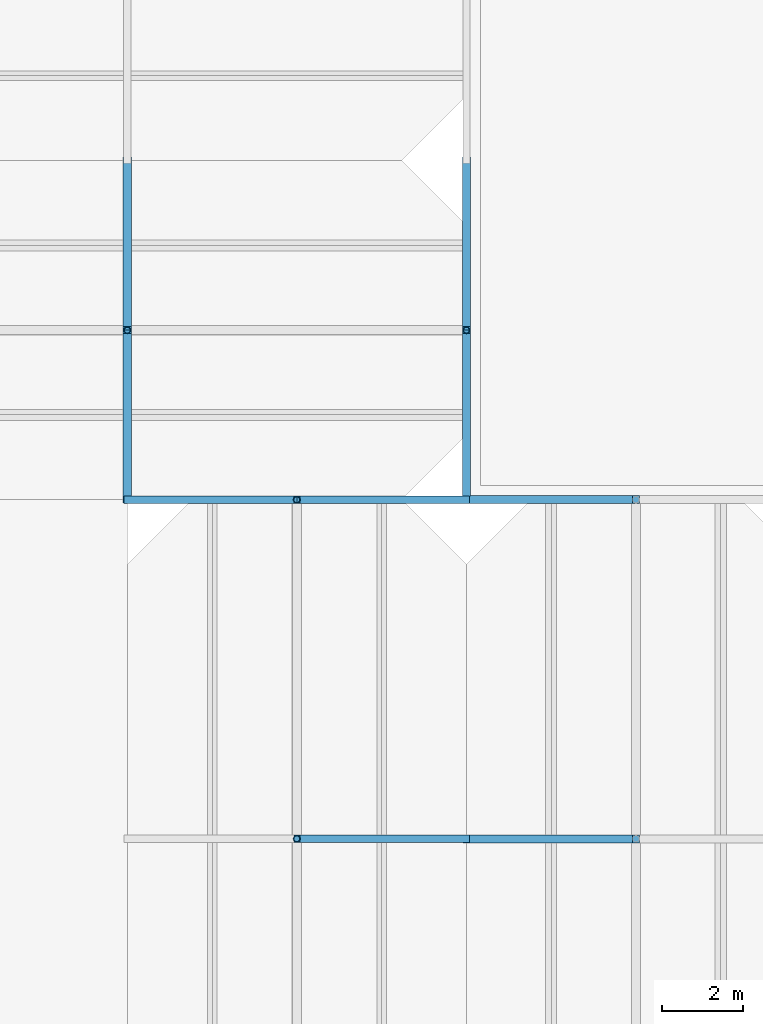
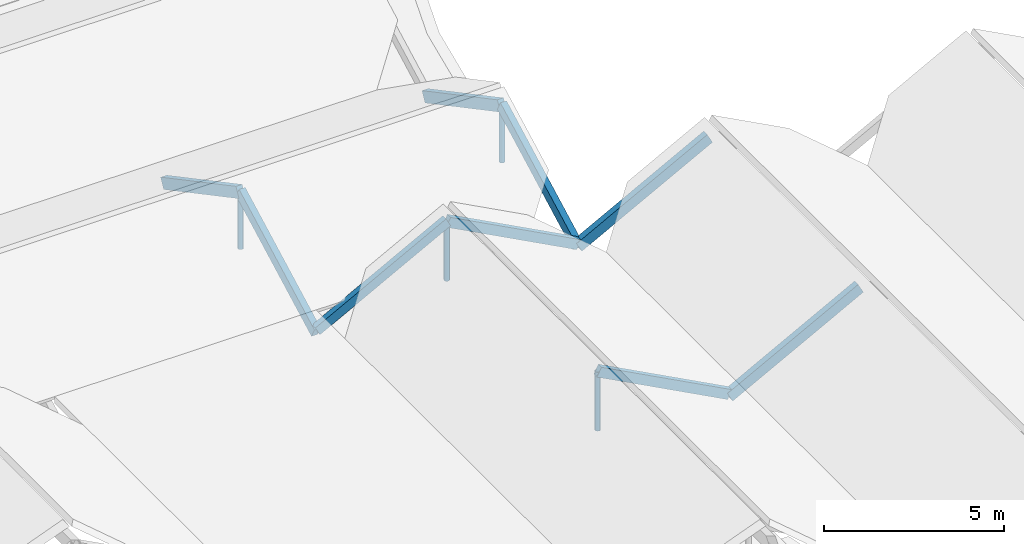
# One storey, part 27 of 82: 13 members.
"""IFC4 building model written with IfcOpenShell, lengths in metres."""

import ifcopenshell
import ifcopenshell.guid

model = None  # the IFC model being written
_history = None  # IfcOwnerHistory: only IFC2X3 demands one
_inside = {}  # id of a spatial element -> (the spatial element, [elements in it])
_under = {}  # id of a project, library or spatial element -> (it, [spatial elements below it])
_declared = {}  # id of a project -> (the project, [libraries it declares])
_typed = {}  # id of a type object -> (the type object, [elements of that type])
_made_of = {}  # id of a material, layer set ... -> (it, [elements and type objects made of it])


def new_model(schema):
    """Start an empty IFC model of exactly this schema.

    Asked for "IFC4X3", IfcOpenShell would pick the latest addendum, in which some entities
    have other attributes; the version numbers below select the first issue.
    IFC2X3 requires an IfcOwnerHistory on every rooted entity: one is made here for all.
    """
    global model, _history
    if schema == "IFC4X3":
        model = ifcopenshell.file(schema_version=(4, 3, 0, 0))
    else:
        model = ifcopenshell.file(schema=schema)
    _inside.clear()
    _under.clear()
    _declared.clear()
    _typed.clear()
    _made_of.clear()
    _history = None
    if model.schema == "IFC2X3":
        org = make("IfcOrganization", Name="unknown")
        user = make(
            "IfcPersonAndOrganization",
            ThePerson=make("IfcPerson", FamilyName="unknown"),
            TheOrganization=org,
        )
        app = make(
            "IfcApplication",
            ApplicationDeveloper=org,
            Version="unknown",
            ApplicationFullName="unknown",
            ApplicationIdentifier="unknown",
        )
        _history = make(
            "IfcOwnerHistory",
            OwningUser=user,
            OwningApplication=app,
            ChangeAction="ADDED",
            CreationDate=0,
        )
    return model


def make(cls, **values):
    """One entity of the class cls with the attributes given. An attribute that is None is left unset."""
    return model.create_entity(
        cls, **{name: value for name, value in values.items() if value is not None}
    )


def rooted(cls, **values):
    """An entity with a GlobalId (a new one), such as an element, a storey or a relation."""
    return make(cls, GlobalId=ifcopenshell.guid.new(), OwnerHistory=_history, **values)


def si_unit(unit_type, name, prefix=None):
    """IfcSIUnit, for example si_unit("LENGTHUNIT", "METRE", prefix="MILLI")."""
    return make("IfcSIUnit", UnitType=unit_type, Prefix=prefix, Name=name)


def assignment(units):
    """IfcUnitAssignment: the units of a project."""
    return None if units is None else make("IfcUnitAssignment", Units=units)


def point(xyz):
    """IfcCartesianPoint."""
    return None if xyz is None else make("IfcCartesianPoint", Coordinates=xyz)


def direction(xyz):
    """IfcDirection."""
    return None if xyz is None else make("IfcDirection", DirectionRatios=xyz)


def frame(location, z_axis=None, x_axis=None):
    """IfcAxis2Placement3D, a coordinate frame: its origin and axes. An axis left out is left unset."""
    return make(
        "IfcAxis2Placement3D",
        Location=point(location),
        Axis=direction(z_axis),
        RefDirection=direction(x_axis),
    )


def frame_2d(location, x_axis=None):
    """IfcAxis2Placement2D, a coordinate frame in the plane: its origin and x axis."""
    return make(
        "IfcAxis2Placement2D", Location=point(location), RefDirection=direction(x_axis)
    )


def origin():
    """The frame at (0, 0, 0) with its axes left unset."""
    return frame((0.0, 0.0, 0.0))


def origin_2d():
    """The frame at (0, 0) in the plane with its x axis left unset."""
    return frame_2d((0.0, 0.0))


def place(relative_to, where):
    """IfcLocalPlacement: puts the frame where relative to a parent placement (None: the world)."""
    return make(
        "IfcLocalPlacement", PlacementRelTo=relative_to, RelativePlacement=where
    )


def context(
    kind, dimensions, precision=None, world=None, true_north=None, identifier=None
):
    """IfcGeometricRepresentationContext, for example the 3D "Model" context."""
    return make(
        "IfcGeometricRepresentationContext",
        ContextIdentifier=identifier,
        ContextType=kind,
        CoordinateSpaceDimension=dimensions,
        Precision=precision,
        WorldCoordinateSystem=world,
        TrueNorth=true_north,
    )


def subcontext(parent, identifier, kind, view, scale=None):
    """IfcGeometricRepresentationSubContext, for example "Body" below "Model"."""
    return make(
        "IfcGeometricRepresentationSubContext",
        ContextIdentifier=identifier,
        ContextType=kind,
        ParentContext=parent,
        TargetScale=scale,
        TargetView=view,
    )


def project(units=None, contexts=None):
    """IfcProject with its units and contexts."""
    return rooted(
        "IfcProject",
        Name="project",
        RepresentationContexts=contexts,
        UnitsInContext=assignment(units),
    )


def spatial(cls, under=None, at=None, **own):
    """A site, building, storey or space (cls), placed at a placement, below another one or the project."""
    s = rooted(cls, ObjectPlacement=at, **own)
    if under is not None:
        _under.setdefault(under.id(), (under, []))[1].append(s)
    return s


def profile(cls, at=None, kind="AREA", **sizes):
    """A parametric profile (cls). Its sizes go by their IFC names, for example OverallWidth=200.0."""
    return make(cls, ProfileType=kind, Position=at, **sizes)


def rectangle(**sizes):
    """IfcRectangleProfileDef."""
    return profile("IfcRectangleProfileDef", **sizes)


def hollow_circle(**sizes):
    """IfcCircleHollowProfileDef."""
    return profile("IfcCircleHollowProfileDef", **sizes)


def extrude(swept, where, along, depth):
    """IfcExtrudedAreaSolid: the profile swept, set in the frame where, extruded along a direction by depth."""
    return make(
        "IfcExtrudedAreaSolid",
        SweptArea=swept,
        Position=where,
        ExtrudedDirection=direction(along),
        Depth=depth,
    )


def shape(context_of_items, identifier, shape_type, items):
    """IfcShapeRepresentation: the items that make up one representation, for example the "Body"."""
    return make(
        "IfcShapeRepresentation",
        ContextOfItems=context_of_items,
        RepresentationIdentifier=identifier,
        RepresentationType=shape_type,
        Items=items,
    )


def material(Name=None, Category=None):
    """IfcMaterial."""
    return make("IfcMaterial", Name=Name, Category=Category)


def material_profile(
    of_material, cross_section, Name=None, Category=None, Priority=None
):
    """IfcMaterialProfile: a cross section and its material."""
    return make(
        "IfcMaterialProfile",
        Name=Name,
        Material=of_material,
        Profile=cross_section,
        Priority=Priority,
        Category=Category,
    )


def profile_set(profiles, Name=None, composite=None):
    """IfcMaterialProfileSet."""
    return make(
        "IfcMaterialProfileSet",
        Name=Name,
        MaterialProfiles=profiles,
        CompositeProfile=composite,
    )


def made_of(thing, what):
    """Note that an element or type object is made of a material, layer set ...; save() writes the relation."""
    if what is not None:
        _made_of.setdefault(what.id(), (what, []))[1].append(thing)
    return thing


def type_object(cls, material=None, **own):
    """A type object (cls), such as IfcWallType, which elements share."""
    return made_of(rooted(cls, **own), material)


def element(
    cls,
    number,
    at=None,
    inside=None,
    cuts=None,
    type_object=None,
    material=None,
    context=None,
    identifier="Body",
    shape_type=None,
    held_by="IfcProductDefinitionShape",
    body=None,
    shapes=None,
    **own,
):
    """One element of the class cls, such as IfcWall. Its Tag is "e" and its number.

    at: its placement. inside: the storey or other place that contains it. cuts: it is an
    opening in that element (IfcRelVoidsElement). A single representation is given by context,
    identifier, shape_type and body (its items); several are given by shapes. held_by: the class
    of the entity that holds the representations. save() writes the other relations.
    """
    e = rooted(cls, Tag="e%d" % number, ObjectPlacement=at, **own)
    if body is not None:
        shapes = [shape(context, identifier, shape_type, body)]
    if shapes is not None:
        e.Representation = make(held_by, Representations=shapes)
    if inside is not None:
        _inside.setdefault(inside.id(), (inside, []))[1].append(e)
    if cuts is not None:
        rooted(
            "IfcRelVoidsElement", RelatingBuildingElement=cuts, RelatedOpeningElement=e
        )
    if type_object is not None:
        _typed.setdefault(type_object.id(), (type_object, []))[1].append(e)
    return made_of(e, material)


def aggregate(whole, parts):
    """IfcRelAggregates: a whole, such as a stair, and the parts it consists of."""
    return rooted("IfcRelAggregates", RelatingObject=whole, RelatedObjects=parts)


def save(model, path):
    """Write the relations noted so far, then the file.

    IfcRelAggregates (storeys below a building ...), IfcRelContainedInSpatialStructure (elements
    in a storey), IfcRelDefinesByType, IfcRelAssociatesMaterial and IfcRelDeclares: one each for
    every whole, place, type object, material and project.
    """
    for whole, parts in _under.values():
        aggregate(whole, parts)
    for where, things in _inside.values():
        rooted(
            "IfcRelContainedInSpatialStructure",
            RelatedElements=things,
            RelatingStructure=where,
        )
    for kind, things in _typed.values():
        rooted("IfcRelDefinesByType", RelatedObjects=things, RelatingType=kind)
    for what, things in _made_of.values():
        rooted("IfcRelAssociatesMaterial", RelatedObjects=things, RelatingMaterial=what)
    for by, libraries in _declared.values():
        rooted("IfcRelDeclares", RelatingContext=by, RelatedDefinitions=libraries)
    model.write(path)


model = new_model("IFC4")

# Units and contexts
model_context = context("Model", 3, precision=1e-05, world=origin(), true_north=direction((0.0, 1.0)))
body_context = subcontext(model_context, "Body", "Model", "MODEL_VIEW")
ifc_project = project(units=[si_unit("LENGTHUNIT", "METRE"), si_unit("AREAUNIT", "SQUARE_METRE"), si_unit("VOLUMEUNIT", "CUBIC_METRE"), si_unit("PLANEANGLEUNIT", "RADIAN"), si_unit("MASSUNIT", "GRAM", prefix="KILO")], contexts=[model_context])

# Site, building, storey
site_placement = place(None, origin())
site = spatial("IfcSite", under=ifc_project, at=site_placement, CompositionType="ELEMENT")
building_placement = place(site_placement, origin())
building = spatial("IfcBuilding", under=site, at=building_placement, Name="Bramfleet General Hospital", CompositionType="ELEMENT")
storey_placement = place(building_placement, frame((0.0, 0.0, 34.199951171875)))
storey = spatial("IfcBuildingStorey", under=building, at=storey_placement, Name="Roof", CompositionType="ELEMENT", Elevation=34.199951171875)

# Members
ifc_material_1 = material(Name="Structural timber GL28h", Category="wood")
ifc_material_profile_1 = material_profile(ifc_material_1, rectangle(XDim=0.179931640625, YDim=0.320068359375, at=origin_2d()), Name="GL28h 320x180")
ifc_profile_set_1 = profile_set([ifc_material_profile_1], Name="Structural timber GL28h")
member_type_1 = type_object("IfcMemberType", Name="MEM-RF-GL320", PredefinedType="RAFTER", material=ifc_profile_set_1)
for number, where, z_axis, x_axis, name in (
    (1, (113.39990234375, 16.800048828125, 1.561279296875), (0.882958848035, 0.0, -0.469450394267), (0.0, 1.0, 0.0), "Patient House PH-06 East Glulam Rafter 2"),
    (2, (109.199951171875, 25.199951171875, -0.671875), (0.882947536541, 0.0, 0.469471668705), (0.0, 1.0, 0.0), "Patient House PH-06 West Glulam Rafter 3"),
    (3, (113.39990234375, 25.199951171875, 1.561279296875), (0.882958848035, 0.0, -0.469450394267), (0.0, 1.0, 0.0), "Patient House PH-06 East Glulam Rafter 3"),
):
    element("IfcMember", number, at=place(storey_placement, frame(where, z_axis=z_axis, x_axis=x_axis)), inside=storey, type_object=member_type_1, Name=name, PredefinedType="RAFTER", context=body_context, shape_type="SweptSolid", body=[
        extrude(rectangle(XDim=0.179931640625, YDim=0.320068359375, at=origin_2d()), origin(), (0.0, 0.0, 1.0), 4.7568359375),
    ])
ifc_material_profile_2 = material_profile(ifc_material_1, rectangle(XDim=0.199951171875, YDim=0.360107421875, at=origin_2d()), Name="GL28h 360x200")
ifc_profile_set_2 = profile_set([ifc_material_profile_2], Name="Structural timber GL28h")
member_type_2 = type_object("IfcMemberType", Name="MEM-RF-GL360", PredefinedType="RAFTER", material=ifc_profile_set_2)
for number, where, z_axis, x_axis, name in (
    (4, (117.60009765625, 16.800048828125, -0.75634765625), (0.882947536541, 0.0, 0.469471668705), (0.0, 1.0, 0.0), "Patient House PH-07 West Glulam Rafter 2"),
    (5, (117.60009765625, 25.199951171875, -0.75634765625), (0.882947536541, 0.0, 0.469471668705), (0.0, 1.0, 0.0), "Patient House PH-07 West Glulam Rafter 3"),
    (6, (109.199951171875, 25.199951171875, -0.75634765625), (0.0, 0.882947536541, 0.469471668705), (-1.0, 0.0, 0.0), "Patient House PH-09 South Glulam Rafter 2"),
    (7, (109.199951171875, 29.39990234375, 1.476806640625), (0.0, 0.882958848035, -0.469450394267), (-1.0, 0.0, 0.0), "Patient House PH-09 North Glulam Rafter 2"),
    (8, (117.60009765625, 25.199951171875, -0.75634765625), (0.0, 0.882947536541, 0.469471668705), (-1.0, 0.0, 0.0), "Patient House PH-09 South Glulam Rafter 3"),
    (9, (117.60009765625, 29.39990234375, 1.476806640625), (0.0, 0.882958848035, -0.469450394267), (-1.0, 0.0, 0.0), "Patient House PH-09 North Glulam Rafter 3"),
):
    element("IfcMember", number, at=place(storey_placement, frame(where, z_axis=z_axis, x_axis=x_axis)), inside=storey, type_object=member_type_2, Name=name, PredefinedType="RAFTER", context=body_context, shape_type="SweptSolid", body=[
        extrude(rectangle(XDim=0.199951171875, YDim=0.360107421875, at=origin_2d()), origin(), (0.0, 0.0, 1.0), 4.7568359375),
    ])
ifc_material_2 = material(Name="Steel S355", Category="steel")
ifc_material_profile_3 = material_profile(ifc_material_2, hollow_circle(Radius=0.084228515625, WallThickness=0.008056640625, at=origin_2d()), Name="CHS 168.3x8.0")
ifc_profile_set_3 = profile_set([ifc_material_profile_3], Name="Steel S355")
member_type_3 = type_object("IfcMemberType", Name="MEM-SF-DG1", PredefinedType="STRUT", material=ifc_profile_set_3)
for number, where, z_axis, x_axis, name in (
    (10, (113.39990234375, 16.800048828125, -0.43994140625), (0.0, 0.0, 1.0), (1.0, 0.0, 0.0), "Patient House PH-06 Ridge Timber Post 2"),
    (11, (113.39990234375, 25.199951171875, -0.43994140625), (0.0, 0.0, 1.0), (1.0, 0.0, 0.0), "Patient House PH-06 Ridge Timber Post 3"),
):
    element("IfcMember", number, at=place(storey_placement, frame(where, z_axis=z_axis, x_axis=x_axis)), inside=storey, type_object=member_type_3, Name=name, PredefinedType="STRUT", context=body_context, shape_type="SweptSolid", body=[
        extrude(hollow_circle(Radius=0.084228515625, WallThickness=0.008056640625, at=origin_2d()), origin(), (0.0, 0.0, 1.0), 2.001220703125),
    ])
for number, where, z_axis, x_axis, name in (
    (12, (109.199951171875, 29.39990234375, -0.43994140625), (0.0, 0.0, 1.0), (1.0, 0.0, 0.0), "Patient House PH-09 Ridge Timber Post 2"),
    (13, (117.60009765625, 29.39990234375, -0.43994140625), (0.0, 0.0, 1.0), (1.0, 0.0, 0.0), "Patient House PH-09 Ridge Timber Post 3"),
):
    element("IfcMember", number, at=place(storey_placement, frame(where, z_axis=z_axis, x_axis=x_axis)), inside=storey, type_object=member_type_3, Name=name, PredefinedType="STRUT", context=body_context, shape_type="SweptSolid", body=[
        extrude(hollow_circle(Radius=0.084228515625, WallThickness=0.008056640625, at=origin_2d()), origin(), (0.0, 0.0, 1.0), 1.916748046875),
    ])

save(model, "model.ifc")
